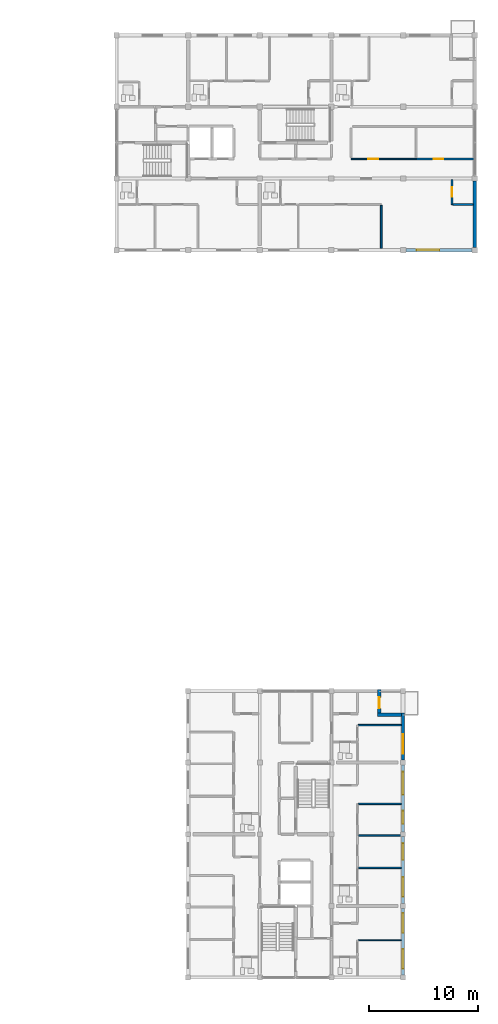
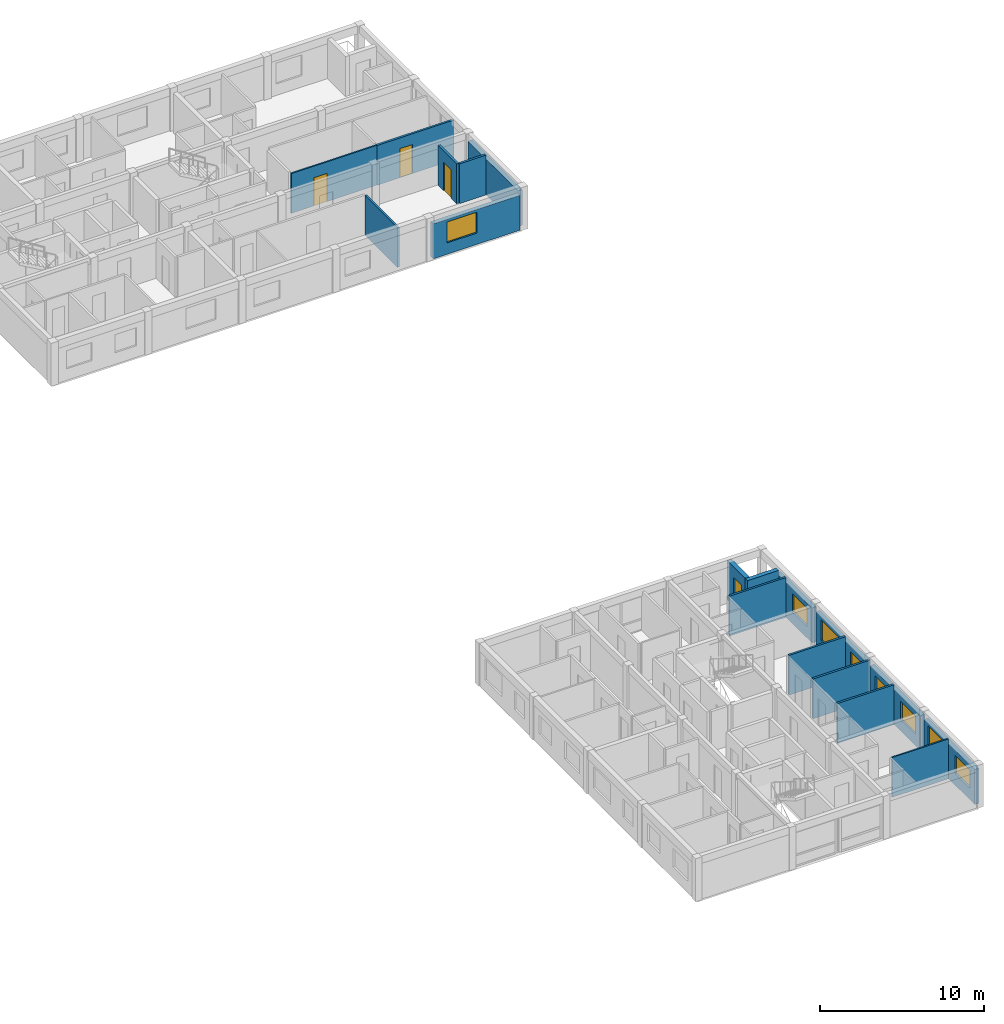
# One storey, part 37 of 45: 18 walls, 8 windows, 4 doors, 12 openings.
"""IFC4 building model written with IfcOpenShell, lengths in metres."""

from ifc_helpers import new_model, si_unit, direction, frame, frame_2d, origin, place, context, subcontext, project, spatial, rectangle, extrude, material, layer, layer_set, type_object, element, fill, save


model = new_model("IFC4")

# Units and contexts
model_context = context("Model", 3, precision=1e-05, world=origin(), true_north=direction((0.0, 1.0)))
body_context = subcontext(model_context, "Body", "Model", "MODEL_VIEW")
ifc_project = project(units=[si_unit("LENGTHUNIT", "METRE"), si_unit("AREAUNIT", "SQUARE_METRE"), si_unit("VOLUMEUNIT", "CUBIC_METRE"), si_unit("PLANEANGLEUNIT", "RADIAN"), si_unit("MASSUNIT", "GRAM", prefix="KILO")], contexts=[model_context])

# Site, building, storey
site_placement = place(None, origin())
site = spatial("IfcSite", under=ifc_project, at=site_placement, CompositionType="ELEMENT")
building_placement = place(site_placement, origin())
building = spatial("IfcBuilding", under=site, at=building_placement, Name="Kernevlak Ridge Housing Community", CompositionType="ELEMENT")
storey_placement = place(building_placement, frame((0.0, 0.0, 14.800048828125)))
storey = spatial("IfcBuildingStorey", under=building, at=storey_placement, Name="L04", CompositionType="ELEMENT", Elevation=14.800048828125)

# Wall, opening, window
ifc_material_1 = material(Name="Concrete block masonry M10", Category="masonry")
ifc_layer_1 = layer(ifc_material_1, 0.300048828125, Name="Concrete block masonry M10")
ifc_layer_set_1 = layer_set([ifc_layer_1], Name="Concrete block masonry M10")
wall_type_1 = type_object("IfcWallType", Name="EW-01", PredefinedType="STANDARD", material=ifc_layer_set_1)
wall_1_placement = place(storey_placement, frame((146.050048828125, 82.60009765625, 0.0), z_axis=(0.0, 0.0, 1.0), x_axis=(1.0, 0.0, 0.0)))
wall_1 = element("IfcWall", 1, at=wall_1_placement, inside=storey, type_object=wall_type_1, Name="Exterior wall EW-01 L04 359", PredefinedType="STANDARD", context=body_context, shape_type="SweptSolid", body=[
    extrude(rectangle(XDim=6.099853515625, YDim=0.300048828125, at=frame_2d((3.0498046875, 0.0))), origin(), (0.0, 0.0, 1.0), 2.599853515625),
])
opening_1_placement = place(wall_1_placement, frame((0.993896484375, 0.0, 0.85009765625)))
opening_1 = element("IfcOpeningElement", 2, at=opening_1_placement, cuts=wall_1, Name="Opening WT-05", PredefinedType="OPENING", context=body_context, shape_type="SweptSolid", body=[
    extrude(rectangle(XDim=2.10009765625, YDim=1.550048828125, at=frame_2d((1.050048828125, 0.77490234375))), frame((0.0, 0.159912109375, 0.0), z_axis=(0.0, -1.0, 0.0), x_axis=(1.0, 0.0, 0.0)), (0.0, 0.0, 1.0), 0.320068359375),
])
ifc_material_2 = material(Name="Aluminium EN AW-6060 anodised and laminated glass", Category="aluminium")
window_type_1 = type_object("IfcWindowType", Name="WT-05", PartitioningType="SINGLE_PANEL", PredefinedType="WINDOW", material=ifc_material_2)
window_1_placement = place(opening_1_placement, origin())
window_1 = element("IfcWindow", 3, at=window_1_placement, inside=storey, type_object=window_type_1, Name="Window WT-05 L04 276", OverallHeight=1.550048828125, OverallWidth=2.10009765625, PartitioningType="SINGLE_PANEL", PredefinedType="WINDOW", context=body_context, shape_type="SweptSolid", body=[
    extrude(rectangle(XDim=2.10009765625, YDim=1.550048828125, at=frame_2d((1.050048828125, 0.77490234375))), frame((0.0, 0.030029296875, 0.0), z_axis=(0.0, -1.0, 0.0), x_axis=(1.0, 0.0, 0.0)), (0.0, 0.0, 1.0), 0.06005859375),
])
fill(opening_1, window_1)

# Wall
wall_2_placement = place(storey_placement, frame((152.39990234375, 82.85009765625, 0.0), z_axis=(0.0, 0.0, 1.0), x_axis=(0.0, 1.0, 0.0)))
element("IfcWall", 4, at=wall_2_placement, inside=storey, type_object=wall_type_1, Name="Exterior wall EW-01 L04 369", PredefinedType="STANDARD", context=body_context, shape_type="SweptSolid", body=[
    extrude(rectangle(XDim=6.099853515625, YDim=0.300048828125, at=frame_2d((3.0498046875, 0.0))), origin(), (0.0, 0.0, 1.0), 2.64990234375),
])

# Wall, openings, windows
wall_3_placement = place(storey_placement, frame((145.800048828125, 15.824951171875, 0.0), z_axis=(0.0, 0.0, 1.0), x_axis=(0.0, 1.0, 0.0)))
wall_3 = element("IfcWall", 5, at=wall_3_placement, inside=storey, type_object=wall_type_1, Name="Exterior wall EW-01 L04 590", PredefinedType="STANDARD", context=body_context, shape_type="SweptSolid", body=[
    extrude(rectangle(XDim=6.150146484375, YDim=0.300048828125, at=frame_2d((3.0751953125, 0.0))), origin(), (0.0, 0.0, 1.0), 2.599853515625),
])
opening_2_placement = place(wall_3_placement, frame((0.60009765625, 0.0, 0.85009765625)))
opening_2 = element("IfcOpeningElement", 6, at=opening_2_placement, cuts=wall_3, Name="Opening WT-03", PredefinedType="OPENING", context=body_context, shape_type="SweptSolid", body=[
    extrude(rectangle(XDim=1.800048828125, YDim=1.35009765625, at=frame_2d((0.89990234375, 0.675048828125))), frame((0.0, 0.159912109375, 0.0), z_axis=(0.0, -1.0, 0.0), x_axis=(1.0, 0.0, 0.0)), (0.0, 0.0, 1.0), 0.320068359375),
])
opening_3_placement = place(wall_3_placement, frame((3.89990234375, 0.0, 0.85009765625)))
opening_3 = element("IfcOpeningElement", 7, at=opening_3_placement, cuts=wall_3, Name="Opening WT-04", PredefinedType="OPENING", context=body_context, shape_type="SweptSolid", body=[
    extrude(rectangle(XDim=1.800048828125, YDim=1.550048828125, at=frame_2d((0.89990234375, 0.77490234375))), frame((0.0, 0.159912109375, 0.0), z_axis=(0.0, -1.0, 0.0), x_axis=(1.0, 0.0, 0.0)), (0.0, 0.0, 1.0), 0.320068359375),
])
window_type_2 = type_object("IfcWindowType", Name="WT-03", PartitioningType="SINGLE_PANEL", PredefinedType="WINDOW", material=ifc_material_2)
window_2_placement = place(opening_2_placement, origin())
window_2 = element("IfcWindow", 8, at=window_2_placement, inside=storey, type_object=window_type_2, Name="Window WT-03 L04 480", OverallHeight=1.35009765625, OverallWidth=1.800048828125, PartitioningType="SINGLE_PANEL", PredefinedType="WINDOW", context=body_context, shape_type="SweptSolid", body=[
    extrude(rectangle(XDim=1.800048828125, YDim=1.35009765625, at=frame_2d((0.89990234375, 0.675048828125))), frame((0.0, 0.030029296875, 0.0), z_axis=(0.0, -1.0, 0.0), x_axis=(1.0, 0.0, 0.0)), (0.0, 0.0, 1.0), 0.06005859375),
])
fill(opening_2, window_2)
window_type_3 = type_object("IfcWindowType", Name="WT-04", PartitioningType="SINGLE_PANEL", PredefinedType="WINDOW", material=ifc_material_2)
window_3_placement = place(opening_3_placement, origin())
window_3 = element("IfcWindow", 9, at=window_3_placement, inside=storey, type_object=window_type_3, Name="Window WT-04 L04 481", OverallHeight=1.550048828125, OverallWidth=1.800048828125, PartitioningType="SINGLE_PANEL", PredefinedType="WINDOW", context=body_context, shape_type="SweptSolid", body=[
    extrude(rectangle(XDim=1.800048828125, YDim=1.550048828125, at=frame_2d((0.89990234375, 0.77490234375))), frame((0.0, 0.030029296875, 0.0), z_axis=(0.0, -1.0, 0.0), x_axis=(1.0, 0.0, 0.0)), (0.0, 0.0, 1.0), 0.06005859375),
])
fill(opening_3, window_3)

wall_4_placement = place(storey_placement, frame((145.800048828125, 22.425048828125, 0.0), z_axis=(0.0, 0.0, 1.0), x_axis=(0.0, 1.0, 0.0)))
wall_4 = element("IfcWall", 10, at=wall_4_placement, inside=storey, type_object=wall_type_1, Name="Exterior wall EW-01 L04 591", PredefinedType="STANDARD", context=body_context, shape_type="SweptSolid", body=[
    extrude(rectangle(XDim=6.14990234375, YDim=0.300048828125, at=frame_2d((3.074951171875, 0.0))), origin(), (0.0, 0.0, 1.0), 2.599853515625),
])
opening_4_placement = place(wall_4_placement, frame((0.625, 0.0, 0.85009765625)))
opening_4 = element("IfcOpeningElement", 11, at=opening_4_placement, cuts=wall_4, Name="Opening WT-03", PredefinedType="OPENING", context=body_context, shape_type="SweptSolid", body=[
    extrude(rectangle(XDim=1.800048828125, YDim=1.35009765625, at=frame_2d((0.89990234375, 0.675048828125))), frame((0.0, 0.159912109375, 0.0), z_axis=(0.0, -1.0, 0.0), x_axis=(1.0, 0.0, 0.0)), (0.0, 0.0, 1.0), 0.320068359375),
])
opening_5_placement = place(wall_4_placement, frame((4.02490234375, 0.0, 0.85009765625)))
opening_5 = element("IfcOpeningElement", 12, at=opening_5_placement, cuts=wall_4, Name="Opening WT-02", PredefinedType="OPENING", context=body_context, shape_type="SweptSolid", body=[
    extrude(rectangle(XDim=1.5, YDim=1.35009765625, at=frame_2d((0.75, 0.675048828125))), frame((0.0, 0.159912109375, 0.0), z_axis=(0.0, -1.0, 0.0), x_axis=(1.0, 0.0, 0.0)), (0.0, 0.0, 1.0), 0.320068359375),
])
window_type_4 = type_object("IfcWindowType", Name="WT-02", PartitioningType="SINGLE_PANEL", PredefinedType="WINDOW", material=ifc_material_2)
window_4_placement = place(opening_5_placement, origin())
window_4 = element("IfcWindow", 13, at=window_4_placement, inside=storey, type_object=window_type_4, Name="Window WT-02 L04 483", OverallHeight=1.35009765625, OverallWidth=1.5, PartitioningType="SINGLE_PANEL", PredefinedType="WINDOW", context=body_context, shape_type="SweptSolid", body=[
    extrude(rectangle(XDim=1.5, YDim=1.35009765625, at=frame_2d((0.75, 0.675048828125))), frame((0.0, 0.030029296875, 0.0), z_axis=(0.0, -1.0, 0.0), x_axis=(1.0, 0.0, 0.0)), (0.0, 0.0, 1.0), 0.06005859375),
])
fill(opening_5, window_4)
window_5_placement = place(opening_4_placement, origin())
window_5 = element("IfcWindow", 14, at=window_5_placement, inside=storey, type_object=window_type_2, Name="Window WT-03 L04 482", OverallHeight=1.35009765625, OverallWidth=1.800048828125, PartitioningType="SINGLE_PANEL", PredefinedType="WINDOW", context=body_context, shape_type="SweptSolid", body=[
    extrude(rectangle(XDim=1.800048828125, YDim=1.35009765625, at=frame_2d((0.89990234375, 0.675048828125))), frame((0.0, 0.030029296875, 0.0), z_axis=(0.0, -1.0, 0.0), x_axis=(1.0, 0.0, 0.0)), (0.0, 0.0, 1.0), 0.06005859375),
])
fill(opening_4, window_5)

wall_5_placement = place(storey_placement, frame((145.800048828125, 29.02490234375, 0.0), z_axis=(0.0, 0.0, 1.0), x_axis=(0.0, 1.0, 0.0)))
wall_5 = element("IfcWall", 15, at=wall_5_placement, inside=storey, type_object=wall_type_1, Name="Exterior wall EW-01 L04 592", PredefinedType="STANDARD", context=body_context, shape_type="SweptSolid", body=[
    extrude(rectangle(XDim=6.150146484375, YDim=0.300048828125, at=frame_2d((3.0751953125, 0.0))), origin(), (0.0, 0.0, 1.0), 2.599853515625),
])
opening_6_placement = place(wall_5_placement, frame((0.72509765625, 0.0, 0.85009765625)))
opening_6 = element("IfcOpeningElement", 16, at=opening_6_placement, cuts=wall_5, Name="Opening WT-01", PredefinedType="OPENING", context=body_context, shape_type="SweptSolid", body=[
    extrude(rectangle(XDim=1.199951171875, YDim=1.35009765625, at=frame_2d((0.60009765625, 0.675048828125))), frame((0.0, 0.159912109375, 0.0), z_axis=(0.0, -1.0, 0.0), x_axis=(1.0, 0.0, 0.0)), (0.0, 0.0, 1.0), 0.320068359375),
])
opening_7_placement = place(wall_5_placement, frame((3.425048828125, 0.0, 0.85009765625)))
opening_7 = element("IfcOpeningElement", 17, at=opening_7_placement, cuts=wall_5, Name="Opening WT-05", PredefinedType="OPENING", context=body_context, shape_type="SweptSolid", body=[
    extrude(rectangle(XDim=2.10009765625, YDim=1.550048828125, at=frame_2d((1.050048828125, 0.77490234375))), frame((0.0, 0.159912109375, 0.0), z_axis=(0.0, -1.0, 0.0), x_axis=(1.0, 0.0, 0.0)), (0.0, 0.0, 1.0), 0.320068359375),
])
window_type_5 = type_object("IfcWindowType", Name="WT-01", PartitioningType="SINGLE_PANEL", PredefinedType="WINDOW", material=ifc_material_2)
window_6_placement = place(opening_6_placement, origin())
window_6 = element("IfcWindow", 18, at=window_6_placement, inside=storey, type_object=window_type_5, Name="Window WT-01 L04 484", OverallHeight=1.35009765625, OverallWidth=1.199951171875, PartitioningType="SINGLE_PANEL", PredefinedType="WINDOW", context=body_context, shape_type="SweptSolid", body=[
    extrude(rectangle(XDim=1.199951171875, YDim=1.35009765625, at=frame_2d((0.60009765625, 0.675048828125))), frame((0.0, 0.030029296875, 0.0), z_axis=(0.0, -1.0, 0.0), x_axis=(1.0, 0.0, 0.0)), (0.0, 0.0, 1.0), 0.06005859375),
])
fill(opening_6, window_6)
window_7_placement = place(opening_7_placement, origin())
window_7 = element("IfcWindow", 19, at=window_7_placement, inside=storey, type_object=window_type_1, Name="Window WT-05 L04 485", OverallHeight=1.550048828125, OverallWidth=2.10009765625, PartitioningType="SINGLE_PANEL", PredefinedType="WINDOW", context=body_context, shape_type="SweptSolid", body=[
    extrude(rectangle(XDim=2.10009765625, YDim=1.550048828125, at=frame_2d((1.050048828125, 0.77490234375))), frame((0.0, 0.030029296875, 0.0), z_axis=(0.0, -1.0, 0.0), x_axis=(1.0, 0.0, 0.0)), (0.0, 0.0, 1.0), 0.06005859375),
])
fill(opening_7, window_7)

# Wall, opening, window
wall_6_placement = place(storey_placement, frame((145.800048828125, 35.625, 0.0), z_axis=(0.0, 0.0, 1.0), x_axis=(0.0, 1.0, 0.0)))
wall_6 = element("IfcWall", 20, at=wall_6_placement, inside=storey, type_object=wall_type_1, Name="Exterior wall EW-01 L04 593", PredefinedType="STANDARD", context=body_context, shape_type="SweptSolid", body=[
    extrude(rectangle(XDim=4.324951171875, YDim=0.300048828125, at=frame_2d((2.16259765625, 0.0))), origin(), (0.0, 0.0, 1.0), 2.599853515625),
])
opening_8_placement = place(wall_6_placement, frame((0.60009765625, 0.0, 0.85009765625)))
opening_8 = element("IfcOpeningElement", 21, at=opening_8_placement, cuts=wall_6, Name="Opening WT-03", PredefinedType="OPENING", context=body_context, shape_type="SweptSolid", body=[
    extrude(rectangle(XDim=1.800048828125, YDim=1.35009765625, at=frame_2d((0.89990234375, 0.675048828125))), frame((0.0, 0.159912109375, 0.0), z_axis=(0.0, -1.0, 0.0), x_axis=(1.0, 0.0, 0.0)), (0.0, 0.0, 1.0), 0.320068359375),
])
window_8_placement = place(opening_8_placement, origin())
window_8 = element("IfcWindow", 22, at=window_8_placement, inside=storey, type_object=window_type_2, Name="Window WT-03 L04 486", OverallHeight=1.35009765625, OverallWidth=1.800048828125, PartitioningType="SINGLE_PANEL", PredefinedType="WINDOW", context=body_context, shape_type="SweptSolid", body=[
    extrude(rectangle(XDim=1.800048828125, YDim=1.35009765625, at=frame_2d((0.89990234375, 0.675048828125))), frame((0.0, 0.030029296875, 0.0), z_axis=(0.0, -1.0, 0.0), x_axis=(1.0, 0.0, 0.0)), (0.0, 0.0, 1.0), 0.06005859375),
])
fill(opening_8, window_8)

# Wall
wall_7_placement = place(storey_placement, frame((145.64990234375, 39.800048828125, 0.0), z_axis=(0.0, 0.0, 1.0), x_axis=(-1.0, 0.0, 0.0)))
element("IfcWall", 23, at=wall_7_placement, inside=storey, type_object=wall_type_1, Name="Exterior wall EW-01 L04 594", PredefinedType="STANDARD", context=body_context, shape_type="SweptSolid", body=[
    extrude(rectangle(XDim=2.199951171875, YDim=0.300048828125, at=frame_2d((1.10009765625, 0.0))), origin(), (0.0, 0.0, 1.0), 2.9599609375),
])

# Wall, opening, door
wall_8_placement = place(storey_placement, frame((143.60009765625, 39.949951171875, 0.0), z_axis=(0.0, 0.0, 1.0), x_axis=(0.0, 1.0, 0.0)))
wall_8 = element("IfcWall", 24, at=wall_8_placement, inside=storey, type_object=wall_type_1, Name="Exterior wall EW-01 L04 595", PredefinedType="STANDARD", context=body_context, shape_type="SweptSolid", body=[
    extrude(rectangle(XDim=2.199951171875, YDim=0.300048828125, at=frame_2d((1.10009765625, 0.0))), origin(), (0.0, 0.0, 1.0), 2.9599609375),
])
opening_9_placement = place(wall_8_placement, frame((0.449951171875, 0.0, 0.0)))
opening_9 = element("IfcOpeningElement", 25, at=opening_9_placement, cuts=wall_8, Name="Opening E232", PredefinedType="OPENING", context=body_context, shape_type="SweptSolid", body=[
    extrude(rectangle(XDim=1.0, YDim=2.14990234375, at=frame_2d((0.5, 1.074951171875))), frame((0.0, 0.159912109375, 0.0), z_axis=(0.0, -1.0, 0.0), x_axis=(1.0, 0.0, 0.0)), (0.0, 0.0, 1.0), 0.320068359375),
])
ifc_material_3 = material(Name="Aluminium EN AW-6060 and laminated safety glass", Category="aluminium")
door_type_1 = type_object("IfcDoorType", Name="DT-08", OperationType="NOTDEFINED", PredefinedType="DOOR", material=ifc_material_3)
door_1_placement = place(opening_9_placement, origin())
door_1 = element("IfcDoor", 26, at=door_1_placement, inside=storey, type_object=door_type_1, Name="Flat C0423 corner balcony glazed door E232", OperationType="SINGLE_SWING_LEFT", OverallHeight=2.14990234375, OverallWidth=1.0, PredefinedType="DOOR", context=body_context, shape_type="SweptSolid", body=[
    extrude(rectangle(XDim=1.0, YDim=2.14990234375, at=frame_2d((0.5, 1.074951171875))), frame((0.0, 0.02490234375, 0.0), z_axis=(0.0, -1.0, 0.0), x_axis=(1.0, 0.0, 0.0)), (0.0, 0.0, 1.0), 0.050048828125),
])
fill(opening_9, door_1)

ifc_layer_2 = layer(ifc_material_1, 0.14501953125, Name="Concrete block masonry M10")
ifc_layer_set_2 = layer_set([ifc_layer_2], Name="Concrete block masonry M10")
wall_type_2 = type_object("IfcWallType", Name="PW-03", PredefinedType="PARTITIONING", material=ifc_layer_set_2)
wall_9_placement = place(storey_placement, frame((147.0, 91.0, 0.0), z_axis=(0.0, 0.0, 1.0), x_axis=(1.0, 0.0, 0.0)))
wall_9 = element("IfcWall", 27, at=wall_9_placement, inside=storey, type_object=wall_type_2, Name="Interior wall PW-03 WAL-INT-L04-1402", PredefinedType="PARTITIONING", context=body_context, shape_type="SweptSolid", body=[
    extrude(rectangle(XDim=5.39990234375, YDim=0.14501953125, at=frame_2d((2.699951171875, 0.0))), origin(), (0.0, 0.0, 1.0), 2.9599609375),
])
opening_10_placement = place(wall_9_placement, frame((1.60009765625, 0.0, 0.0)))
opening_10 = element("IfcOpeningElement", 28, at=opening_10_placement, cuts=wall_9, Name="Opening D709", PredefinedType="OPENING", context=body_context, shape_type="SweptSolid", body=[
    extrude(rectangle(XDim=0.89990234375, YDim=2.159912109375, at=frame_2d((0.449951171875, 1.080078125))), frame((0.0, 0.08251953125, 0.0), z_axis=(0.0, -1.0, 0.0), x_axis=(1.0, 0.0, 0.0)), (0.0, 0.0, 1.0), 0.1650390625),
])
ifc_material_4 = material(Name="Hardwood timber leaf", Category="wood")
door_type_2 = type_object("IfcDoorType", Name="DT-22", OperationType="NOTDEFINED", PredefinedType="DOOR", material=ifc_material_4)
door_2_placement = place(opening_10_placement, origin())
door_2 = element("IfcDoor", 29, at=door_2_placement, inside=storey, type_object=door_type_2, Name="Block B Study room door D709", OperationType="SINGLE_SWING_LEFT", OverallHeight=2.159912109375, OverallWidth=0.89990234375, PredefinedType="DOOR", context=body_context, shape_type="SweptSolid", body=[
    extrude(rectangle(XDim=0.89990234375, YDim=2.159912109375, at=frame_2d((0.449951171875, 1.080078125))), frame((0.0, 0.02490234375, 0.0), z_axis=(0.0, -1.0, 0.0), x_axis=(1.0, 0.0, 0.0)), (0.0, 0.0, 1.0), 0.050048828125),
])
fill(opening_10, door_2)

# Walls
wall_10_placement = place(storey_placement, frame((143.7880859375, 86.717529296875, 0.0), z_axis=(0.0, 0.0, 1.0), x_axis=(0.0, -1.0, 0.0)))
element("IfcWall", 30, at=wall_10_placement, inside=storey, type_object=wall_type_2, Name="Interior wall PW-03 WAL-INT-L04-1423", PredefinedType="PARTITIONING", context=body_context, shape_type="SweptSolid", body=[
    extrude(rectangle(XDim=3.95751953125, YDim=0.14501953125, at=frame_2d((1.978759765625, 0.0))), origin(), (0.0, 0.0, 1.0), 2.9599609375),
])
wall_11_placement = place(storey_placement, frame((141.6826171875, 25.699951171875, 0.0), z_axis=(0.0, 0.0, 1.0), x_axis=(1.0, 0.0, 0.0)))
element("IfcWall", 31, at=wall_11_placement, inside=storey, type_object=wall_type_2, Name="Interior wall PW-03 WAL-INT-L04-2418", PredefinedType="PARTITIONING", context=body_context, shape_type="SweptSolid", body=[
    extrude(rectangle(XDim=3.957275390625, YDim=0.14501953125, at=frame_2d((1.978515625, 0.0))), origin(), (0.0, 0.0, 1.0), 2.9599609375),
])
wall_12_placement = place(storey_placement, frame((141.6826171875, 28.699951171875, 0.0), z_axis=(0.0, 0.0, 1.0), x_axis=(1.0, 0.0, 0.0)))
element("IfcWall", 32, at=wall_12_placement, inside=storey, type_object=wall_type_2, Name="Interior wall PW-03 WAL-INT-L04-2420", PredefinedType="PARTITIONING", context=body_context, shape_type="SweptSolid", body=[
    extrude(rectangle(XDim=4.037353515625, YDim=0.14501953125, at=frame_2d((2.0185546875, 0.0))), origin(), (0.0, 0.0, 1.0), 2.9599609375),
])
wall_13_placement = place(storey_placement, frame((141.679931640625, 31.60009765625, 0.0), z_axis=(0.0, 0.0, 1.0), x_axis=(1.0, 0.0, 0.0)))
element("IfcWall", 33, at=wall_13_placement, inside=storey, type_object=wall_type_2, Name="Interior wall PW-03 WAL-INT-L04-2422", PredefinedType="PARTITIONING", context=body_context, shape_type="SweptSolid", body=[
    extrude(rectangle(XDim=3.9599609375, YDim=0.14501953125, at=frame_2d((1.97998046875, 0.0))), origin(), (0.0, 0.0, 1.0), 2.9599609375),
])
wall_14_placement = place(storey_placement, frame((141.6826171875, 38.85009765625, 0.0), z_axis=(0.0, 0.0, 1.0), x_axis=(1.0, 0.0, 0.0)))
element("IfcWall", 34, at=wall_14_placement, inside=storey, type_object=wall_type_2, Name="Interior wall PW-03 WAL-INT-L04-2429", PredefinedType="PARTITIONING", context=body_context, shape_type="SweptSolid", body=[
    extrude(rectangle(XDim=3.957275390625, YDim=0.14501953125, at=frame_2d((1.978515625, 0.0))), origin(), (0.0, 0.0, 1.0), 2.9599609375),
])

# Wall, opening, door
ifc_material_5 = material(Name="Gypsum plasterboard EN 520", Category="gypsum")
ifc_layer_3 = layer(ifc_material_5, 0.155029296875, Name="Gypsum plasterboard EN 520")
ifc_layer_set_3 = layer_set([ifc_layer_3], Name="Gypsum plasterboard EN 520")
wall_type_3 = type_object("IfcWallType", Name="PW-05", PredefinedType="PARTITIONING", material=ifc_layer_set_3)
wall_15_placement = place(storey_placement, frame((150.300048828125, 89.1025390625, 0.0), z_axis=(0.0, 0.0, 1.0), x_axis=(0.0, -1.0, 0.0)))
wall_15 = element("IfcWall", 35, at=wall_15_placement, inside=storey, type_object=wall_type_3, Name="Interior wall PW-05 WAL-INT-L04-1418", PredefinedType="PARTITIONING", context=body_context, shape_type="SweptSolid", body=[
    extrude(rectangle(XDim=2.302490234375, YDim=0.155029296875, at=frame_2d((1.1513671875, 0.0))), origin(), (0.0, 0.0, 1.0), 2.9599609375),
])
opening_11_placement = place(wall_15_placement, frame((0.699951171875, 0.0, 0.0)))
opening_11 = element("IfcOpeningElement", 36, at=opening_11_placement, cuts=wall_15, Name="Opening D717", PredefinedType="OPENING", context=body_context, shape_type="SweptSolid", body=[
    extrude(rectangle(XDim=0.89990234375, YDim=2.10009765625, at=frame_2d((0.449951171875, 1.050048828125))), frame((0.0, 0.08740234375, 0.0), z_axis=(0.0, -1.0, 0.0), x_axis=(1.0, 0.0, 0.0)), (0.0, 0.0, 1.0), 0.175048828125),
])
door_type_3 = type_object("IfcDoorType", Name="DT-21", OperationType="NOTDEFINED", PredefinedType="DOOR", material=ifc_material_4)
door_3_placement = place(opening_11_placement, origin())
door_3 = element("IfcDoor", 37, at=door_3_placement, inside=storey, type_object=door_type_3, Name="Flat B0412 kitchen door D717", OperationType="SINGLE_SWING_LEFT", OverallHeight=2.10009765625, OverallWidth=0.89990234375, PredefinedType="DOOR", context=body_context, shape_type="SweptSolid", body=[
    extrude(rectangle(XDim=0.89990234375, YDim=2.10009765625, at=frame_2d((0.449951171875, 1.050048828125))), frame((0.0, 0.02490234375, 0.0), z_axis=(0.0, -1.0, 0.0), x_axis=(1.0, 0.0, 0.0)), (0.0, 0.0, 1.0), 0.050048828125),
])
fill(opening_11, door_3)

# Wall
wall_16_placement = place(storey_placement, frame((150.387451171875, 86.800048828125, 0.0), z_axis=(0.0, 0.0, 1.0), x_axis=(1.0, 0.0, 0.0)))
element("IfcWall", 38, at=wall_16_placement, inside=storey, type_object=wall_type_3, Name="Interior wall PW-05 WAL-INT-L04-1419", PredefinedType="PARTITIONING", context=body_context, shape_type="SweptSolid", body=[
    extrude(rectangle(XDim=1.8525390625, YDim=0.155029296875, at=frame_2d((0.92626953125, 0.0))), origin(), (0.0, 0.0, 1.0), 2.9599609375),
])

# Wall, opening, door
ifc_layer_4 = layer(ifc_material_5, 0.10498046875, Name="Gypsum plasterboard EN 520")
ifc_layer_set_4 = layer_set([ifc_layer_4], Name="Gypsum plasterboard EN 520")
wall_type_4 = type_object("IfcWallType", Name="PW-06", PredefinedType="PARTITIONING", material=ifc_layer_set_4)
wall_17_placement = place(storey_placement, frame((141.0, 91.0, 0.0), z_axis=(0.0, 0.0, 1.0), x_axis=(1.0, 0.0, 0.0)))
wall_17 = element("IfcWall", 39, at=wall_17_placement, inside=storey, type_object=wall_type_4, Name="Interior wall PW-06 WAL-INT-L04-1401", PredefinedType="PARTITIONING", context=body_context, shape_type="SweptSolid", body=[
    extrude(rectangle(XDim=6.0, YDim=0.10498046875, at=frame_2d((3.0, 0.0))), origin(), (0.0, 0.0, 1.0), 2.9599609375),
])
opening_12_placement = place(wall_17_placement, frame((1.60009765625, 0.0, 0.0)))
opening_12 = element("IfcOpeningElement", 40, at=opening_12_placement, cuts=wall_17, Name="Opening D708", PredefinedType="OPENING", context=body_context, shape_type="SweptSolid", body=[
    extrude(rectangle(XDim=0.89990234375, YDim=2.10009765625, at=frame_2d((0.449951171875, 1.050048828125))), frame((0.0, 0.0625, 0.0), z_axis=(0.0, -1.0, 0.0), x_axis=(1.0, 0.0, 0.0)), (0.0, 0.0, 1.0), 0.125),
])
door_4_placement = place(opening_12_placement, origin())
door_4 = element("IfcDoor", 41, at=door_4_placement, inside=storey, type_object=door_type_3, Name="Block B Laundry room door D708", OperationType="SINGLE_SWING_RIGHT", OverallHeight=2.10009765625, OverallWidth=0.89990234375, PredefinedType="DOOR", context=body_context, shape_type="SweptSolid", body=[
    extrude(rectangle(XDim=0.89990234375, YDim=2.10009765625, at=frame_2d((0.449951171875, 1.050048828125))), frame((0.0, 0.02490234375, 0.0), z_axis=(0.0, -1.0, 0.0), x_axis=(1.0, 0.0, 0.0)), (0.0, 0.0, 1.0), 0.050048828125),
])
fill(opening_12, door_4)

# Wall
wall_18_placement = place(storey_placement, frame((141.6826171875, 19.050048828125, 0.0), z_axis=(0.0, 0.0, 1.0), x_axis=(1.0, 0.0, 0.0)))
element("IfcWall", 42, at=wall_18_placement, inside=storey, type_object=wall_type_4, Name="Interior wall PW-06 WAL-INT-L04-2411", PredefinedType="PARTITIONING", context=body_context, shape_type="SweptSolid", body=[
    extrude(rectangle(XDim=3.957275390625, YDim=0.10498046875, at=frame_2d((1.978515625, 0.0))), origin(), (0.0, 0.0, 1.0), 2.9599609375),
])

save(model, "model.ifc")
